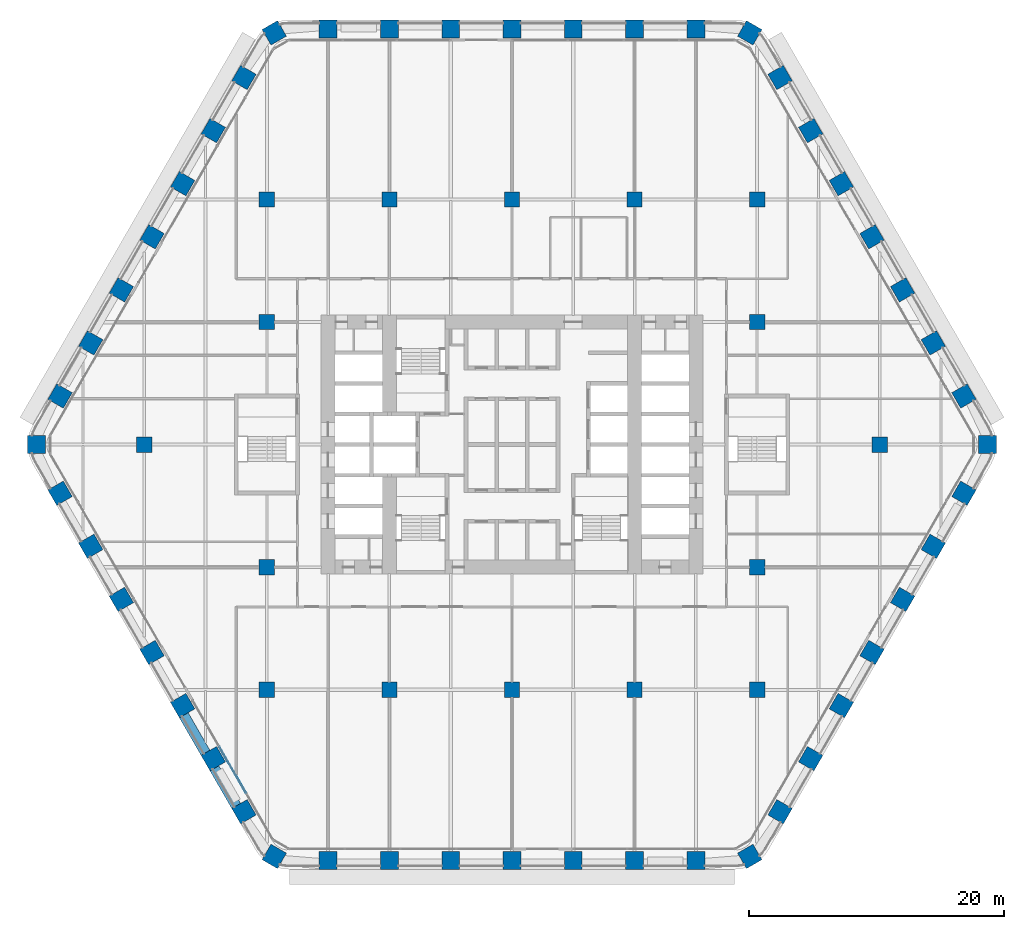
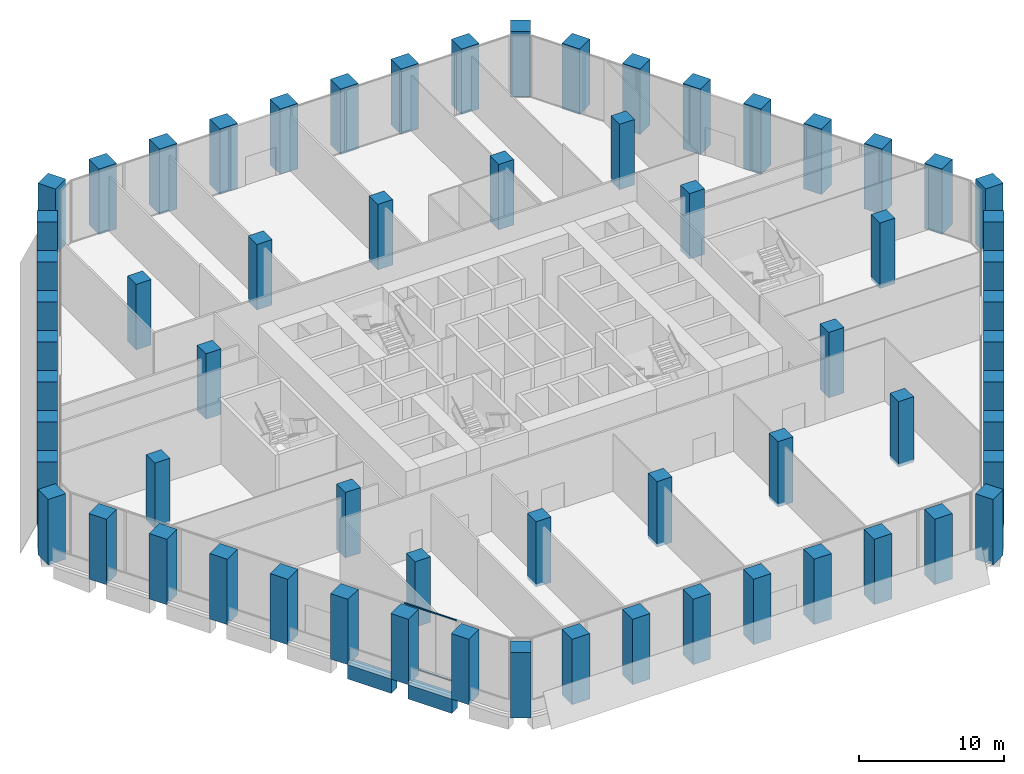
# One storey, part 1 of 27: 64 columns, 2 beams, 2 members, 1 element without a shape of its own.
"""IFC4 building model written with IfcOpenShell, lengths in metres."""

from ifc_helpers import new_model, si_unit, direction, frame, origin, origin_2d, place, context, subcontext, project, spatial, rectangle, extrude, material, material_profile, profile_set, type_object, element, aggregate, save


model = new_model("IFC4")

# Units and contexts
model_context = context("Model", 3, precision=1e-05, world=origin(), true_north=direction((0.0, 1.0)))
body_context = subcontext(model_context, "Body", "Model", "MODEL_VIEW")
ifc_project = project(units=[si_unit("LENGTHUNIT", "METRE"), si_unit("AREAUNIT", "SQUARE_METRE"), si_unit("VOLUMEUNIT", "CUBIC_METRE"), si_unit("PLANEANGLEUNIT", "RADIAN"), si_unit("MASSUNIT", "GRAM", prefix="KILO")], contexts=[model_context])

# Site, building, storey
site_placement = place(None, origin())
site = spatial("IfcSite", under=ifc_project, at=site_placement, CompositionType="ELEMENT")
building_placement = place(site_placement, origin())
building = spatial("IfcBuilding", under=site, at=building_placement, Name="Kolab Exchange Tower", CompositionType="ELEMENT")
storey_placement = place(building_placement, frame((0.0, 0.0, 22.39990234375)))
storey = spatial("IfcBuildingStorey", under=building, at=storey_placement, Name="L04", CompositionType="ELEMENT", Elevation=22.39990234375)

# Columns
ifc_material_1 = material(Name="Concrete C80/95", Category="concrete")
ifc_material_profile_1 = material_profile(ifc_material_1, rectangle(XDim=1.199951171875, YDim=1.199951171875, at=origin_2d()), Name="RC1200")
ifc_profile_set_1 = profile_set([ifc_material_profile_1], Name="Concrete C80/95")
column_type_1 = type_object("IfcColumnType", Name="INTERIOR COLUMN 1200 SQ C80/95", PredefinedType="COLUMN", material=ifc_profile_set_1)
for number, where, z_axis, x_axis, name in (
    (1, (-28.800048828125, 0.0, -0.25), (0.0, 0.0, 1.0), (1.0, 0.0, 0.0), "col/L04/I-G11"),
    (2, (-19.199951171875, -19.199951171875, -0.25), (0.0, 0.0, 1.0), (1.0, 0.0, 0.0), "col/L04/I-I7"),
    (3, (-19.199951171875, -9.60009765625, -0.25), (0.0, 0.0, 1.0), (1.0, 0.0, 0.0), "col/L04/I-I9"),
    (4, (-19.199951171875, 9.60009765625, -0.25), (0.0, 0.0, 1.0), (1.0, 0.0, 0.0), "col/L04/I-I13"),
    (5, (-19.199951171875, 19.199951171875, -0.25), (0.0, 0.0, 1.0), (1.0, 0.0, 0.0), "col/L04/I-I15"),
    (6, (-9.60009765625, -19.199951171875, -0.25), (0.0, 0.0, 1.0), (1.0, 0.0, 0.0), "col/L04/I-K7"),
    (7, (-9.60009765625, 19.199951171875, -0.25), (0.0, 0.0, 1.0), (1.0, 0.0, 0.0), "col/L04/I-K15"),
    (8, (0.0, -19.199951171875, -0.25), (0.0, 0.0, 1.0), (1.0, 0.0, 0.0), "col/L04/I-M7"),
    (9, (0.0, 19.199951171875, -0.25), (0.0, 0.0, 1.0), (1.0, 0.0, 0.0), "col/L04/I-M15"),
    (10, (9.60009765625, -19.199951171875, -0.25), (0.0, 0.0, 1.0), (1.0, 0.0, 0.0), "col/L04/I-O7"),
    (11, (9.60009765625, 19.199951171875, -0.25), (0.0, 0.0, 1.0), (1.0, 0.0, 0.0), "col/L04/I-O15"),
    (12, (19.199951171875, -19.199951171875, -0.25), (0.0, 0.0, 1.0), (1.0, 0.0, 0.0), "col/L04/I-Q7"),
    (13, (19.199951171875, -9.60009765625, -0.25), (0.0, 0.0, 1.0), (1.0, 0.0, 0.0), "col/L04/I-Q9"),
    (14, (19.199951171875, 9.60009765625, -0.25), (0.0, 0.0, 1.0), (1.0, 0.0, 0.0), "col/L04/I-Q13"),
    (15, (19.199951171875, 19.199951171875, -0.25), (0.0, 0.0, 1.0), (1.0, 0.0, 0.0), "col/L04/I-Q15"),
    (16, (28.800048828125, 0.0, -0.25), (0.0, 0.0, 1.0), (1.0, 0.0, 0.0), "col/L04/I-S11"),
):
    element("IfcColumn", number, at=place(storey_placement, frame(where, z_axis=z_axis, x_axis=x_axis)), inside=storey, type_object=column_type_1, Name=name, PredefinedType="COLUMN", context=body_context, shape_type="SweptSolid", body=[
        extrude(rectangle(XDim=1.199951171875, YDim=1.199951171875, at=origin_2d()), origin(), (0.0, 0.0, 1.0), 5.5),
    ])
ifc_material_profile_2 = material_profile(ifc_material_1, rectangle(XDim=1.39990234375, YDim=1.39990234375, at=origin_2d()), Name="RC1400")
ifc_profile_set_2 = profile_set([ifc_material_profile_2], Name="Concrete C80/95")
column_type_2 = type_object("IfcColumnType", Name="PERIMETER COLUMN 1400 SQ C80/95", PredefinedType="COLUMN", material=ifc_profile_set_2)
for number, where, z_axis, x_axis, name in (
    (17, (-18.617919921875, 32.247314453125, -0.25), (0.0, 0.0, 1.0), (0.866025403784, 0.5, 0.0), "col/L04/F1-01"),
    (18, (-14.39990234375, 32.555419921875, -0.25), (0.0, 0.0, 1.0), (1.0, 0.0, 0.0), "col/L04/F1-02"),
    (19, (-9.60009765625, 32.555419921875, -0.25), (0.0, 0.0, 1.0), (1.0, 0.0, 0.0), "col/L04/F1-03"),
    (20, (-4.800048828125, 32.555419921875, -0.25), (0.0, 0.0, 1.0), (1.0, 0.0, 0.0), "col/L04/F1-04"),
    (21, (0.0, 32.555419921875, -0.25), (0.0, 0.0, 1.0), (1.0, 0.0, 0.0), "col/L04/F1-05"),
    (22, (4.800048828125, 32.555419921875, -0.25), (0.0, 0.0, 1.0), (1.0, 0.0, 0.0), "col/L04/F1-06"),
    (23, (9.60009765625, 32.555419921875, -0.25), (0.0, 0.0, 1.0), (1.0, 0.0, 0.0), "col/L04/F1-07"),
    (24, (14.39990234375, 32.555419921875, -0.25), (0.0, 0.0, 1.0), (1.0, 0.0, 0.0), "col/L04/F1-08"),
    (25, (18.617919921875, 32.247314453125, -0.25), (0.0, 0.0, 1.0), (0.5, 0.866025403784, 0.0), "col/L04/F2-01"),
    (26, (20.993896484375, 28.74853515625, -0.25), (0.0, 0.0, 1.0), (0.866025403784, 0.5, 0.0), "col/L04/F2-02"),
    (27, (23.393798828125, 24.591552734375, -0.25), (0.0, 0.0, 1.0), (0.866025403784, 0.5, 0.0), "col/L04/F2-03"),
    (28, (25.793701171875, 20.4345703125, -0.25), (0.0, 0.0, 1.0), (0.866025403784, 0.5, 0.0), "col/L04/F2-04"),
    (29, (28.19384765625, 16.277587890625, -0.25), (0.0, 0.0, 1.0), (0.866025403784, 0.5, 0.0), "col/L04/F2-05"),
    (30, (30.59375, 12.120849609375, -0.25), (0.0, 0.0, 1.0), (0.866025403784, 0.5, 0.0), "col/L04/F2-06"),
    (31, (32.993896484375, 7.9638671875, -0.25), (0.0, 0.0, 1.0), (0.866025403784, 0.5, 0.0), "col/L04/F2-07"),
    (32, (35.393798828125, 3.806884765625, -0.25), (0.0, 0.0, 1.0), (0.866025403784, 0.5, 0.0), "col/L04/F2-08"),
    (33, (37.23583984375, 0.0, -0.25), (0.0, 0.0, 1.0), (1.0, 0.0, 0.0), "col/L04/F3-01"),
    (34, (35.393798828125, -3.806884765625, -0.25), (0.0, 0.0, 1.0), (0.5, 0.866025403784, 0.0), "col/L04/F3-02"),
    (35, (32.993896484375, -7.9638671875, -0.25), (0.0, 0.0, 1.0), (0.5, 0.866025403784, 0.0), "col/L04/F3-03"),
    (36, (30.59375, -12.120849609375, -0.25), (0.0, 0.0, 1.0), (0.5, 0.866025403784, 0.0), "col/L04/F3-04"),
    (37, (28.19384765625, -16.277587890625, -0.25), (0.0, 0.0, 1.0), (0.5, 0.866025403784, 0.0), "col/L04/F3-05"),
    (38, (25.793701171875, -20.4345703125, -0.25), (0.0, 0.0, 1.0), (0.5, 0.866025403784, 0.0), "col/L04/F3-06"),
    (39, (23.393798828125, -24.591552734375, -0.25), (0.0, 0.0, 1.0), (0.5, 0.866025403784, 0.0), "col/L04/F3-07"),
    (40, (20.993896484375, -28.74853515625, -0.25), (0.0, 0.0, 1.0), (0.5, 0.866025403784, 0.0), "col/L04/F3-08"),
    (41, (18.617919921875, -32.247314453125, -0.25), (0.0, 0.0, 1.0), (0.866025403784, 0.5, 0.0), "col/L04/F4-01"),
    (42, (14.39990234375, -32.555419921875, -0.25), (0.0, 0.0, 1.0), (1.0, 0.0, 0.0), "col/L04/F4-02"),
    (43, (9.60009765625, -32.555419921875, -0.25), (0.0, 0.0, 1.0), (1.0, 0.0, 0.0), "col/L04/F4-03"),
    (44, (4.800048828125, -32.555419921875, -0.25), (0.0, 0.0, 1.0), (1.0, 0.0, 0.0), "col/L04/F4-04"),
    (45, (0.0, -32.555419921875, -0.25), (0.0, 0.0, 1.0), (1.0, 0.0, 0.0), "col/L04/F4-05"),
    (46, (-4.800048828125, -32.555419921875, -0.25), (0.0, 0.0, 1.0), (1.0, 0.0, 0.0), "col/L04/F4-06"),
    (47, (-9.60009765625, -32.555419921875, -0.25), (0.0, 0.0, 1.0), (1.0, 0.0, 0.0), "col/L04/F4-07"),
    (48, (-14.39990234375, -32.555419921875, -0.25), (0.0, 0.0, 1.0), (1.0, 0.0, 0.0), "col/L04/F4-08"),
    (49, (-18.617919921875, -32.247314453125, -0.25), (0.0, 0.0, 1.0), (0.5, 0.866025403784, 0.0), "col/L04/F5-01"),
    (50, (-20.993896484375, -28.74853515625, -0.25), (0.0, 0.0, 1.0), (0.866025403784, 0.5, 0.0), "col/L04/F5-02"),
    (51, (-23.393798828125, -24.591552734375, -0.25), (0.0, 0.0, 1.0), (0.866025403784, 0.5, 0.0), "col/L04/F5-03"),
    (52, (-25.793701171875, -20.4345703125, -0.25), (0.0, 0.0, 1.0), (0.866025403784, 0.5, 0.0), "col/L04/F5-04"),
    (53, (-28.19384765625, -16.277587890625, -0.25), (0.0, 0.0, 1.0), (0.866025403784, 0.5, 0.0), "col/L04/F5-05"),
    (54, (-30.59375, -12.120849609375, -0.25), (0.0, 0.0, 1.0), (0.866025403784, 0.5, 0.0), "col/L04/F5-06"),
    (55, (-32.993896484375, -7.9638671875, -0.25), (0.0, 0.0, 1.0), (0.866025403784, 0.5, 0.0), "col/L04/F5-07"),
    (56, (-35.393798828125, -3.806884765625, -0.25), (0.0, 0.0, 1.0), (0.866025403784, 0.5, 0.0), "col/L04/F5-08"),
    (57, (-37.23583984375, 0.0, -0.25), (0.0, 0.0, 1.0), (1.0, 0.0, 0.0), "col/L04/F6-01"),
    (58, (-35.393798828125, 3.806884765625, -0.25), (0.0, 0.0, 1.0), (0.5, 0.866025403784, 0.0), "col/L04/F6-02"),
    (59, (-32.993896484375, 7.9638671875, -0.25), (0.0, 0.0, 1.0), (0.5, 0.866025403784, 0.0), "col/L04/F6-03"),
    (60, (-30.59375, 12.120849609375, -0.25), (0.0, 0.0, 1.0), (0.5, 0.866025403784, 0.0), "col/L04/F6-04"),
    (61, (-28.19384765625, 16.277587890625, -0.25), (0.0, 0.0, 1.0), (0.5, 0.866025403784, 0.0), "col/L04/F6-05"),
    (62, (-25.793701171875, 20.4345703125, -0.25), (0.0, 0.0, 1.0), (0.5, 0.866025403784, 0.0), "col/L04/F6-06"),
    (63, (-23.393798828125, 24.591552734375, -0.25), (0.0, 0.0, 1.0), (0.5, 0.866025403784, 0.0), "col/L04/F6-07"),
    (64, (-20.993896484375, 28.74853515625, -0.25), (0.0, 0.0, 1.0), (0.5, 0.866025403784, 0.0), "col/L04/F6-08"),
):
    element("IfcColumn", number, at=place(storey_placement, frame(where, z_axis=z_axis, x_axis=x_axis)), inside=storey, type_object=column_type_2, Name=name, PredefinedType="COLUMN", context=body_context, shape_type="SweptSolid", body=[
        extrude(rectangle(XDim=1.39990234375, YDim=1.39990234375, at=origin_2d()), origin(), (0.0, 0.0, 1.0), 5.5),
    ])

# Beams
ifc_material_profile_3 = material_profile(ifc_material_1, rectangle(XDim=0.800048828125, YDim=1.199951171875, at=origin_2d()), Name="RC800X1200")
ifc_profile_set_3 = profile_set([ifc_material_profile_3], Name="Concrete C80/95")
beam_type = type_object("IfcBeamType", Name="SPANDREL BEAM 800X1200 C80/95", PredefinedType="BEAM", material=ifc_profile_set_3)
beam_1_placement = place(storey_placement, frame((-21.58349609375, -28.326904296875, -0.849853515625), z_axis=(-0.499979528911, 0.866037222451, 0.0), x_axis=(-0.866037222451, -0.499979528911, 0.0)))
element("IfcBeam", 65, at=beam_1_placement, inside=storey, type_object=beam_type, Name="beam/L04/sp/F5-02", PredefinedType="BEAM", context=body_context, shape_type="SweptSolid", body=[
    extrude(rectangle(XDim=0.800048828125, YDim=1.199951171875, at=origin_2d()), origin(), (0.0, 0.0, 1.0), 3.480224609375),
])
beam_2_placement = place(storey_placement, frame((-23.983642578125, -24.169921875, -0.849853515625), z_axis=(-0.500009906705, 0.86601968407, 0.0), x_axis=(-0.86601968407, -0.500009906705, 0.0)))
element("IfcBeam", 66, at=beam_2_placement, inside=storey, type_object=beam_type, Name="beam/L04/sp/F5-03", PredefinedType="BEAM", context=body_context, shape_type="SweptSolid", body=[
    extrude(rectangle(XDim=0.800048828125, YDim=1.199951171875, at=origin_2d()), origin(), (0.0, 0.0, 1.0), 3.47998046875),
])

# Curtain wall, members
ifc_material_2 = material(Name="Aluminium EN AW-6063 T6", Category="aluminium")
curtain_wall_type = type_object("IfcCurtainWallType", Name="UNITISED LOW ZONE CURTAIN WALL", PredefinedType="NOTDEFINED", material=ifc_material_2)
curtain_wall_placement = place(storey_placement, origin())
curtain_wall = element("IfcCurtainWall", 67, at=curtain_wall_placement, inside=storey, type_object=curtain_wall_type, Name="cw/L04/F5-1", PredefinedType="NOTDEFINED")
ifc_material_profile_4 = material_profile(ifc_material_2, rectangle(XDim=0.06005859375, YDim=0.10009765625, at=origin_2d()), Name="RECT 60X100")
ifc_profile_set_4 = profile_set([ifc_material_profile_4], Name="Aluminium EN AW-6063 T6")
member_type = type_object("IfcMemberType", Name="UNITISED LOW ZONE TRANSOM 60 X 100", PredefinedType="USERDEFINED", material=ifc_profile_set_4)
member_1_placement = place(storey_placement, frame((-20.823974609375, -27.282470703125, 0.030029296875), z_axis=(-0.49999322259, 0.866029316688, 0.0), x_axis=(-0.866029316688, -0.49999322259, 0.0)))
member_1 = element("IfcMember", 68, at=member_1_placement, type_object=member_type, Name="CW1 transom 2.1", ObjectType="TRANSOM", PredefinedType="USERDEFINED", context=body_context, shape_type="SweptSolid", body=[
    extrude(rectangle(XDim=0.06005859375, YDim=0.10009765625, at=origin_2d()), origin(), (0.0, 0.0, 1.0), 4.16259765625),
])
member_2_placement = place(storey_placement, frame((-20.823974609375, -27.282470703125, 5.22021484375), z_axis=(-0.49999322259, 0.866029316688, 0.0), x_axis=(-0.866029316688, -0.49999322259, 0.0)))
member_2 = element("IfcMember", 69, at=member_2_placement, type_object=member_type, Name="CW1 transom 2.2", ObjectType="TRANSOM", PredefinedType="USERDEFINED", context=body_context, shape_type="SweptSolid", body=[
    extrude(rectangle(XDim=0.06005859375, YDim=0.10009765625, at=origin_2d()), origin(), (0.0, 0.0, 1.0), 4.16259765625),
])
aggregate(curtain_wall, [member_1, member_2])

save(model, "model.ifc")
